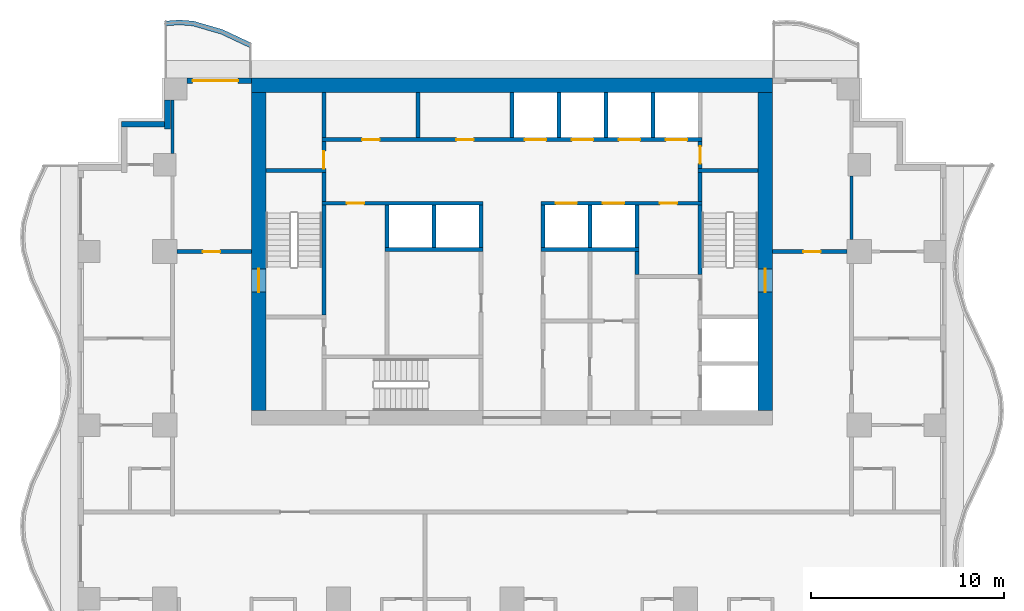
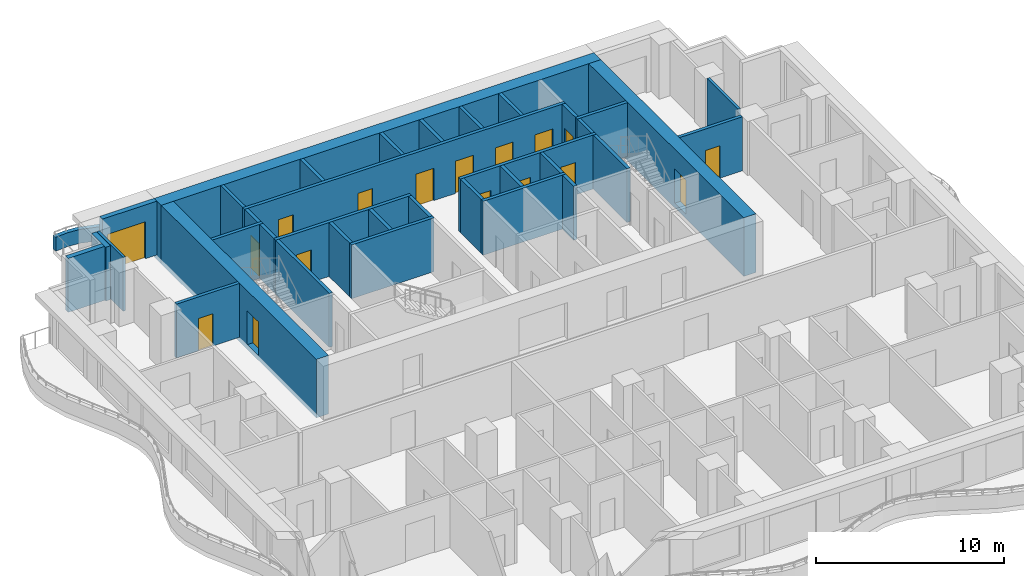
# One storey, part 5 of 10: 37 walls, 17 doors, 17 openings.
"""IFC4 building model written with IfcOpenShell, lengths in metres."""

from ifc_helpers import new_model, si_unit, direction, frame, frame_2d, origin, place, context, subcontext, project, spatial, polyline, rectangle, outline, extrude, material, layer, layer_set, type_object, element, fill, save


model = new_model("IFC4")

# Units and contexts
model_context = context("Model", 3, precision=1e-05, world=origin(), true_north=direction((0.0, 1.0)))
body_context = subcontext(model_context, "Body", "Model", "MODEL_VIEW")
ifc_project = project(units=[si_unit("LENGTHUNIT", "METRE"), si_unit("AREAUNIT", "SQUARE_METRE"), si_unit("VOLUMEUNIT", "CUBIC_METRE"), si_unit("PLANEANGLEUNIT", "RADIAN"), si_unit("MASSUNIT", "GRAM", prefix="KILO")], contexts=[model_context])

# Site, building, storey
site_placement = place(None, origin())
site = spatial("IfcSite", under=ifc_project, at=site_placement, CompositionType="ELEMENT")
building_placement = place(site_placement, origin())
building = spatial("IfcBuilding", under=site, at=building_placement, Name="Orbiselva Terraces", CompositionType="ELEMENT")
storey_placement = place(building_placement, frame((0.0, 0.0, 144.0)))
storey = spatial("IfcBuildingStorey", under=building, at=storey_placement, Name="L36", CompositionType="ELEMENT", Elevation=144.0)

# Wall, opening, door
ifc_material_1 = material(Name="Concrete C80/95", Category="concrete")
ifc_layer_1 = layer(ifc_material_1, 0.75)
ifc_layer_set_1 = layer_set([ifc_layer_1], Name="Concrete C80/95")
wall_type_1 = type_object("IfcWallType", Name="CORE WALL 750", PredefinedType="SHEAR", material=ifc_layer_set_1)
wall_1_placement = place(storey_placement, frame((13.125, 5.25, -0.3), z_axis=(0.0, 0.0, 1.0), x_axis=(0.0, 1.0, 0.0)))
wall_1 = element("IfcWall", 1, at=wall_1_placement, inside=storey, type_object=wall_type_1, Name="Core wall L36 east", PredefinedType="SHEAR", context=body_context, shape_type="SweptSolid", body=[
    extrude(rectangle(XDim=16.5, YDim=0.75, at=frame_2d((8.25, 0.0))), origin(), (0.0, 0.0, 1.0), 3.8),
])
opening_1_placement = place(wall_1_placement, frame((6.15, 0.0, 0.3)))
opening_1 = element("IfcOpeningElement", 2, at=opening_1_placement, cuts=wall_1, Name="Opening DS1200", PredefinedType="OPENING", context=body_context, shape_type="SweptSolid", body=[
    extrude(rectangle(XDim=1.2, YDim=2.2, at=frame_2d((0.6, 1.1))), frame((0.0, 0.385, 0.0), z_axis=(0.0, -1.0, 0.0), x_axis=(1.0, 0.0, 0.0)), (0.0, 0.0, 1.0), 0.77),
])
ifc_material_2 = material(Name="Steel fire door", Category="steel")
door_type_1 = type_object("IfcDoorType", Name="STAIR DOOR 1200", OperationType="NOTDEFINED", PredefinedType="DOOR", material=ifc_material_2)
door_1_placement = place(opening_1_placement, frame((1.2, 0.0, 0.0), z_axis=(0.0, 0.0, 1.0), x_axis=(-1.0, 0.0, 0.0)))
door_1 = element("IfcDoor", 3, at=door_1_placement, inside=storey, type_object=door_type_1, Name="L36 EXIT STAIR S2 door", OperationType="SINGLE_SWING_LEFT", OverallHeight=2.2, OverallWidth=1.2, PredefinedType="DOOR", context=body_context, shape_type="SweptSolid", body=[
    extrude(rectangle(XDim=1.2, YDim=2.2, at=frame_2d((0.6, 1.1))), frame((0.0, 0.025, 0.0), z_axis=(0.0, -1.0, 0.0), x_axis=(1.0, 0.0, 0.0)), (0.0, 0.0, 1.0), 0.05),
])
fill(opening_1, door_1)

wall_2_placement = place(storey_placement, frame((-13.125, 21.75, -0.3), z_axis=(0.0, 0.0, 1.0), x_axis=(0.0, -1.0, 0.0)))
wall_2 = element("IfcWall", 4, at=wall_2_placement, inside=storey, type_object=wall_type_1, Name="Core wall L36 west", PredefinedType="SHEAR", context=body_context, shape_type="SweptSolid", body=[
    extrude(rectangle(XDim=16.5, YDim=0.75, at=frame_2d((8.25, 0.0))), origin(), (0.0, 0.0, 1.0), 3.8),
])
opening_2_placement = place(wall_2_placement, frame((9.15, 0.0, 0.3)))
opening_2 = element("IfcOpeningElement", 5, at=opening_2_placement, cuts=wall_2, Name="Opening DS1200", PredefinedType="OPENING", context=body_context, shape_type="SweptSolid", body=[
    extrude(rectangle(XDim=1.2, YDim=2.2, at=frame_2d((0.6, 1.1))), frame((0.0, 0.385, 0.0), z_axis=(0.0, -1.0, 0.0), x_axis=(1.0, 0.0, 0.0)), (0.0, 0.0, 1.0), 0.77),
])
door_2_placement = place(opening_2_placement, frame((1.2, 0.0, 0.0), z_axis=(0.0, 0.0, 1.0), x_axis=(-1.0, 0.0, 0.0)))
door_2 = element("IfcDoor", 6, at=door_2_placement, inside=storey, type_object=door_type_1, Name="L36 EXIT STAIR S1 door", OperationType="SINGLE_SWING_RIGHT", OverallHeight=2.2, OverallWidth=1.2, PredefinedType="DOOR", context=body_context, shape_type="SweptSolid", body=[
    extrude(rectangle(XDim=1.2, YDim=2.2, at=frame_2d((0.6, 1.1))), frame((0.0, 0.025, 0.0), z_axis=(0.0, -1.0, 0.0), x_axis=(1.0, 0.0, 0.0)), (0.0, 0.0, 1.0), 0.05),
])
fill(opening_2, door_2)

# Wall
ifc_layer_2 = layer(ifc_material_1, 0.75)
ifc_layer_set_2 = layer_set([ifc_layer_2], Name="Concrete C80/95")
wall_type_2 = type_object("IfcWallType", Name="CORE WALL 750 EXTERNAL", PredefinedType="SHEAR", material=ifc_layer_set_2)
wall_3_placement = place(storey_placement, frame((13.5, 22.125, -0.3), z_axis=(0.0, 0.0, 1.0), x_axis=(-1.0, 0.0, 0.0)))
element("IfcWall", 7, at=wall_3_placement, inside=storey, type_object=wall_type_2, Name="Core wall L36 north", PredefinedType="SHEAR", context=body_context, shape_type="SweptSolid", body=[
    extrude(rectangle(XDim=27.0, YDim=0.75, at=frame_2d((13.5, 0.0))), origin(), (0.0, 0.0, 1.0), 3.8),
])

# Wall, opening, door
ifc_material_3 = material(Name="Masonry blockwork", Category="masonry")
ifc_layer_3 = layer(ifc_material_3, 0.2)
ifc_layer_set_3 = layer_set([ifc_layer_3], Name="Masonry blockwork")
wall_type_3 = type_object("IfcWallType", Name="CORE-WALL-PARTITION-200", PredefinedType="PARTITIONING", material=ifc_layer_set_3)
wall_4_placement = place(storey_placement, frame((-9.75, 17.8, 0.0), z_axis=(0.0, 0.0, 1.0), x_axis=(0.0, 1.0, 0.0)))
wall_4 = element("IfcWall", 8, at=wall_4_placement, inside=storey, type_object=wall_type_3, Name="L36 core wall 09", PredefinedType="PARTITIONING", context=body_context, shape_type="SweptSolid", body=[
    extrude(rectangle(XDim=1.4, YDim=0.2, at=frame_2d((0.7, 0.0))), origin(), (0.0, 0.0, 1.0), 3.5),
])
opening_3_placement = place(wall_4_placement, origin())
opening_3 = element("IfcOpeningElement", 9, at=opening_3_placement, cuts=wall_4, Name="Opening DR900", PredefinedType="OPENING", context=body_context, shape_type="SweptSolid", body=[
    extrude(rectangle(XDim=0.9, YDim=2.1, at=frame_2d((0.45, 1.05))), frame((0.0, 0.11, 0.0), z_axis=(0.0, -1.0, 0.0), x_axis=(1.0, 0.0, 0.0)), (0.0, 0.0, 1.0), 0.22),
])
door_type_2 = type_object("IfcDoorType", Name="ROOM DOOR 900", OperationType="NOTDEFINED", PredefinedType="DOOR", material=ifc_material_2)
door_3_placement = place(opening_3_placement, origin())
door_3 = element("IfcDoor", 10, at=door_3_placement, inside=storey, type_object=door_type_2, Name="L36 COMMS RISER ROOM door", OperationType="SINGLE_SWING_LEFT", OverallHeight=2.1, OverallWidth=0.9, PredefinedType="DOOR", context=body_context, shape_type="SweptSolid", body=[
    extrude(rectangle(XDim=0.9, YDim=2.1, at=frame_2d((0.45, 1.05))), frame((0.0, 0.025, 0.0), z_axis=(0.0, -1.0, 0.0), x_axis=(1.0, 0.0, 0.0)), (0.0, 0.0, 1.0), 0.05),
])
fill(opening_3, door_3)

# Walls
for number, where, z_axis, x_axis, name in (
    (11, (-9.75, 19.4, 0.0), (0.0, 0.0, 1.0), (0.0, 1.0, 0.0), "L36 core wall 11"),
    (12, (-4.875, 19.4, 0.0), (0.0, 0.0, 1.0), (0.0, 1.0, 0.0), "L36 core wall 15"),
):
    element("IfcWall", number, at=place(storey_placement, frame(where, z_axis=z_axis, x_axis=x_axis)), inside=storey, type_object=wall_type_3, Name=name, PredefinedType="PARTITIONING", context=body_context, shape_type="SweptSolid", body=[
        extrude(rectangle(XDim=2.35, YDim=0.2, at=frame_2d((1.175, 0.0))), origin(), (0.0, 0.0, 1.0), 3.5),
    ])
wall_5_placement = place(storey_placement, frame((6.475, 12.3, 0.0), z_axis=(0.0, 0.0, 1.0), x_axis=(0.0, 1.0, 0.0)))
element("IfcWall", 13, at=wall_5_placement, inside=storey, type_object=wall_type_3, Name="L36 core wall 35", PredefinedType="PARTITIONING", context=body_context, shape_type="SweptSolid", body=[
    extrude(rectangle(XDim=1.2, YDim=0.2, at=frame_2d((0.6, 0.0))), origin(), (0.0, 0.0, 1.0), 3.5),
])

# Wall, opening, door
wall_6_placement = place(storey_placement, frame((9.75, 19.2, 0.0), z_axis=(0.0, 0.0, 1.0), x_axis=(0.0, -1.0, 0.0)))
wall_6 = element("IfcWall", 14, at=wall_6_placement, inside=storey, type_object=wall_type_3, Name="L36 core wall 46", PredefinedType="PARTITIONING", context=body_context, shape_type="SweptSolid", body=[
    extrude(rectangle(XDim=1.4, YDim=0.2, at=frame_2d((0.7, 0.0))), origin(), (0.0, 0.0, 1.0), 3.5),
])
opening_4_placement = place(wall_6_placement, frame((0.25, 0.0, 0.0)))
opening_4 = element("IfcOpeningElement", 15, at=opening_4_placement, cuts=wall_6, Name="Opening DR900", PredefinedType="OPENING", context=body_context, shape_type="SweptSolid", body=[
    extrude(rectangle(XDim=0.9, YDim=2.1, at=frame_2d((0.45, 1.05))), frame((0.0, 0.11, 0.0), z_axis=(0.0, -1.0, 0.0), x_axis=(1.0, 0.0, 0.0)), (0.0, 0.0, 1.0), 0.22),
])
door_4_placement = place(opening_4_placement, origin())
door_4 = element("IfcDoor", 16, at=door_4_placement, inside=storey, type_object=door_type_2, Name="L36 ELECTRICAL RISER ROOM door", OperationType="SINGLE_SWING_RIGHT", OverallHeight=2.1, OverallWidth=0.9, PredefinedType="DOOR", context=body_context, shape_type="SweptSolid", body=[
    extrude(rectangle(XDim=0.9, YDim=2.1, at=frame_2d((0.45, 1.05))), frame((0.0, 0.025, 0.0), z_axis=(0.0, -1.0, 0.0), x_axis=(1.0, 0.0, 0.0)), (0.0, 0.0, 1.0), 0.05),
])
fill(opening_4, door_4)

# Walls
ifc_material_4 = material(Name="Concrete C40/50", Category="concrete")
ifc_layer_4 = layer(ifc_material_4, 0.2)
ifc_layer_set_4 = layer_set([ifc_layer_4], Name="Concrete C40/50")
wall_type_4 = type_object("IfcWallType", Name="CORE-WALL-SHAFT-200", PredefinedType="PARTITIONING", material=ifc_layer_set_4)
for number, where, z_axis, x_axis, name in (
    (17, (-6.475, 13.7, 0.0), (0.0, 0.0, 1.0), (0.0, 1.0, 0.0), "L36 core wall 14"),
    (18, (-4.0375, 13.7, 0.0), (0.0, 0.0, 1.0), (0.0, 1.0, 0.0), "L36 core wall 16"),
    (19, (-1.6, 13.7, 0.0), (0.0, 0.0, 1.0), (0.0, 1.0, 0.0), "L36 core wall 19"),
):
    element("IfcWall", number, at=place(storey_placement, frame(where, z_axis=z_axis, x_axis=x_axis)), inside=storey, type_object=wall_type_4, Name=name, PredefinedType="PARTITIONING", context=body_context, shape_type="SweptSolid", body=[
        extrude(rectangle(XDim=2.2, YDim=0.2, at=frame_2d((1.1, 0.0))), origin(), (0.0, 0.0, 1.0), 3.5),
    ])
wall_7_placement = place(storey_placement, frame((0.0, 19.4, 0.0), z_axis=(0.0, 0.0, 1.0), x_axis=(0.0, 1.0, 0.0)))
element("IfcWall", 20, at=wall_7_placement, inside=storey, type_object=wall_type_4, Name="L36 core wall 20", PredefinedType="PARTITIONING", context=body_context, shape_type="SweptSolid", body=[
    extrude(rectangle(XDim=2.35, YDim=0.2, at=frame_2d((1.175, 0.0))), origin(), (0.0, 0.0, 1.0), 3.5),
])
wall_8_placement = place(storey_placement, frame((1.6, 13.7, 0.0), z_axis=(0.0, 0.0, 1.0), x_axis=(0.0, 1.0, 0.0)))
element("IfcWall", 21, at=wall_8_placement, inside=storey, type_object=wall_type_4, Name="L36 core wall 25", PredefinedType="PARTITIONING", context=body_context, shape_type="SweptSolid", body=[
    extrude(rectangle(XDim=2.2, YDim=0.2, at=frame_2d((1.1, 0.0))), origin(), (0.0, 0.0, 1.0), 3.5),
])
wall_9_placement = place(storey_placement, frame((2.4375, 19.4, 0.0), z_axis=(0.0, 0.0, 1.0), x_axis=(0.0, 1.0, 0.0)))
element("IfcWall", 22, at=wall_9_placement, inside=storey, type_object=wall_type_4, Name="L36 core wall 27", PredefinedType="PARTITIONING", context=body_context, shape_type="SweptSolid", body=[
    extrude(rectangle(XDim=2.35, YDim=0.2, at=frame_2d((1.175, 0.0))), origin(), (0.0, 0.0, 1.0), 3.5),
])
wall_10_placement = place(storey_placement, frame((4.0375, 13.7, 0.0), z_axis=(0.0, 0.0, 1.0), x_axis=(0.0, 1.0, 0.0)))
element("IfcWall", 23, at=wall_10_placement, inside=storey, type_object=wall_type_4, Name="L36 core wall 30", PredefinedType="PARTITIONING", context=body_context, shape_type="SweptSolid", body=[
    extrude(rectangle(XDim=2.2, YDim=0.2, at=frame_2d((1.1, 0.0))), origin(), (0.0, 0.0, 1.0), 3.5),
])
wall_11_placement = place(storey_placement, frame((4.875, 19.4, 0.0), z_axis=(0.0, 0.0, 1.0), x_axis=(0.0, 1.0, 0.0)))
element("IfcWall", 24, at=wall_11_placement, inside=storey, type_object=wall_type_4, Name="L36 core wall 31", PredefinedType="PARTITIONING", context=body_context, shape_type="SweptSolid", body=[
    extrude(rectangle(XDim=2.35, YDim=0.2, at=frame_2d((1.175, 0.0))), origin(), (0.0, 0.0, 1.0), 3.5),
])
wall_12_placement = place(storey_placement, frame((6.475, 13.7, 0.0), z_axis=(0.0, 0.0, 1.0), x_axis=(0.0, 1.0, 0.0)))
element("IfcWall", 25, at=wall_12_placement, inside=storey, type_object=wall_type_4, Name="L36 core wall 36", PredefinedType="PARTITIONING", context=body_context, shape_type="SweptSolid", body=[
    extrude(rectangle(XDim=2.2, YDim=0.2, at=frame_2d((1.1, 0.0))), origin(), (0.0, 0.0, 1.0), 3.5),
])
wall_13_placement = place(storey_placement, frame((7.3125, 19.4, 0.0), z_axis=(0.0, 0.0, 1.0), x_axis=(0.0, 1.0, 0.0)))
element("IfcWall", 26, at=wall_13_placement, inside=storey, type_object=wall_type_4, Name="L36 core wall 37", PredefinedType="PARTITIONING", context=body_context, shape_type="SweptSolid", body=[
    extrude(rectangle(XDim=2.35, YDim=0.2, at=frame_2d((1.175, 0.0))), origin(), (0.0, 0.0, 1.0), 3.5),
])
ifc_material_5 = material(Name="Concrete C60/75", Category="concrete")
ifc_layer_5 = layer(ifc_material_5, 0.2)
ifc_layer_set_5 = layer_set([ifc_layer_5], Name="Concrete C60/75")
wall_type_5 = type_object("IfcWallType", Name="CORE-WALL-SHEAR-200", PredefinedType="SHEAR", material=ifc_layer_set_5)
wall_14_placement = place(storey_placement, frame((-12.75, 17.7, 0.0), z_axis=(0.0, 0.0, 1.0), x_axis=(1.0, 0.0, 0.0)))
element("IfcWall", 27, at=wall_14_placement, inside=storey, type_object=wall_type_5, Name="L36 core wall 02", PredefinedType="SHEAR", context=body_context, shape_type="SweptSolid", body=[
    extrude(rectangle(XDim=3.1, YDim=0.2, at=frame_2d((1.55, 0.0))), origin(), (0.0, 0.0, 1.0), 3.5),
])
wall_15_placement = place(storey_placement, frame((-9.75, 10.2, 0.0), z_axis=(0.0, 0.0, 1.0), x_axis=(0.0, 1.0, 0.0)))
element("IfcWall", 28, at=wall_15_placement, inside=storey, type_object=wall_type_5, Name="L36 core wall 06", PredefinedType="SHEAR", context=body_context, shape_type="SweptSolid", body=[
    extrude(rectangle(XDim=5.7, YDim=0.2, at=frame_2d((2.85, 0.0))), origin(), (0.0, 0.0, 1.0), 3.5),
])

# Wall, opening, door
wall_16_placement = place(storey_placement, frame((-1.5, 16.0, 0.0), z_axis=(0.0, 0.0, 1.0), x_axis=(-1.0, 0.0, 0.0)))
wall_16 = element("IfcWall", 29, at=wall_16_placement, inside=storey, type_object=wall_type_5, Name="L36 core wall 07", PredefinedType="SHEAR", context=body_context, shape_type="SweptSolid", body=[
    extrude(rectangle(XDim=8.35, YDim=0.2, at=frame_2d((4.175, 0.0))), origin(), (0.0, 0.0, 1.0), 3.5),
])
opening_5_placement = place(wall_16_placement, frame((6.1625, 0.0, 0.0)))
opening_5 = element("IfcOpeningElement", 30, at=opening_5_placement, cuts=wall_16, Name="Opening DR900", PredefinedType="OPENING", context=body_context, shape_type="SweptSolid", body=[
    extrude(rectangle(XDim=0.9, YDim=2.1, at=frame_2d((0.45, 1.05))), frame((0.0, 0.11, 0.0), z_axis=(0.0, -1.0, 0.0), x_axis=(1.0, 0.0, 0.0)), (0.0, 0.0, 1.0), 0.22),
])
door_5_placement = place(opening_5_placement, origin())
door_5 = element("IfcDoor", 31, at=door_5_placement, inside=storey, type_object=door_type_2, Name="L36 STAFF PANTRY door", OperationType="SINGLE_SWING_RIGHT", OverallHeight=2.1, OverallWidth=0.9, PredefinedType="DOOR", context=body_context, shape_type="SweptSolid", body=[
    extrude(rectangle(XDim=0.9, YDim=2.1, at=frame_2d((0.45, 1.05))), frame((0.0, 0.025, 0.0), z_axis=(0.0, -1.0, 0.0), x_axis=(1.0, 0.0, 0.0)), (0.0, 0.0, 1.0), 0.05),
])
fill(opening_5, door_5)

# Wall
wall_17_placement = place(storey_placement, frame((-9.75, 16.1, 0.0), z_axis=(0.0, 0.0, 1.0), x_axis=(0.0, 1.0, 0.0)))
element("IfcWall", 32, at=wall_17_placement, inside=storey, type_object=wall_type_5, Name="L36 core wall 08", PredefinedType="SHEAR", context=body_context, shape_type="SweptSolid", body=[
    extrude(rectangle(XDim=1.5, YDim=0.2, at=frame_2d((0.75, 0.0))), origin(), (0.0, 0.0, 1.0), 3.5),
])

# Wall, openings, doors
wall_18_placement = place(storey_placement, frame((-9.85, 19.3, 0.0), z_axis=(0.0, 0.0, 1.0), x_axis=(1.0, 0.0, 0.0)))
wall_18 = element("IfcWall", 33, at=wall_18_placement, inside=storey, type_object=wall_type_5, Name="L36 core wall 10", PredefinedType="SHEAR", context=body_context, shape_type="SweptSolid", body=[
    extrude(rectangle(XDim=19.7, YDim=0.2, at=frame_2d((9.85, 0.0))), origin(), (0.0, 0.0, 1.0), 3.5),
])
opening_6_placement = place(wall_18_placement, frame((10.51875, 0.0, 0.0)))
opening_6 = element("IfcOpeningElement", 34, at=opening_6_placement, cuts=wall_18, Name="Opening LD-HR1", PredefinedType="OPENING", context=body_context, shape_type="SweptSolid", body=[
    extrude(rectangle(XDim=1.1, YDim=2.1, at=frame_2d((0.55, 1.05))), frame((0.0, 0.11, 0.0), z_axis=(0.0, -1.0, 0.0), x_axis=(1.0, 0.0, 0.0)), (0.0, 0.0, 1.0), 0.22),
])
opening_7_placement = place(wall_18_placement, frame((12.95625, 0.0, 0.0)))
opening_7 = element("IfcOpeningElement", 35, at=opening_7_placement, cuts=wall_18, Name="Opening LD-HR2", PredefinedType="OPENING", context=body_context, shape_type="SweptSolid", body=[
    extrude(rectangle(XDim=1.1, YDim=2.1, at=frame_2d((0.55, 1.05))), frame((0.0, 0.11, 0.0), z_axis=(0.0, -1.0, 0.0), x_axis=(1.0, 0.0, 0.0)), (0.0, 0.0, 1.0), 0.22),
])
opening_8_placement = place(wall_18_placement, frame((15.39375, 0.0, 0.0)))
opening_8 = element("IfcOpeningElement", 36, at=opening_8_placement, cuts=wall_18, Name="Opening LD-HR3", PredefinedType="OPENING", context=body_context, shape_type="SweptSolid", body=[
    extrude(rectangle(XDim=1.1, YDim=2.1, at=frame_2d((0.55, 1.05))), frame((0.0, 0.11, 0.0), z_axis=(0.0, -1.0, 0.0), x_axis=(1.0, 0.0, 0.0)), (0.0, 0.0, 1.0), 0.22),
])
opening_9_placement = place(wall_18_placement, frame((17.83125, 0.0, 0.0)))
opening_9 = element("IfcOpeningElement", 37, at=opening_9_placement, cuts=wall_18, Name="Opening LD-HR4", PredefinedType="OPENING", context=body_context, shape_type="SweptSolid", body=[
    extrude(rectangle(XDim=1.1, YDim=2.1, at=frame_2d((0.55, 1.05))), frame((0.0, 0.11, 0.0), z_axis=(0.0, -1.0, 0.0), x_axis=(1.0, 0.0, 0.0)), (0.0, 0.0, 1.0), 0.22),
])
opening_10_placement = place(wall_18_placement, frame((2.0875, 0.0, 0.0)))
opening_10 = element("IfcOpeningElement", 38, at=opening_10_placement, cuts=wall_18, Name="Opening DR900", PredefinedType="OPENING", context=body_context, shape_type="SweptSolid", body=[
    extrude(rectangle(XDim=0.9, YDim=2.1, at=frame_2d((0.45, 1.05))), frame((0.0, 0.11, 0.0), z_axis=(0.0, -1.0, 0.0), x_axis=(1.0, 0.0, 0.0)), (0.0, 0.0, 1.0), 0.22),
])
opening_11_placement = place(wall_18_placement, frame((6.9625, 0.0, 0.0)))
opening_11 = element("IfcOpeningElement", 39, at=opening_11_placement, cuts=wall_18, Name="Opening DR900", PredefinedType="OPENING", context=body_context, shape_type="SweptSolid", body=[
    extrude(rectangle(XDim=0.9, YDim=2.1, at=frame_2d((0.45, 1.05))), frame((0.0, 0.11, 0.0), z_axis=(0.0, -1.0, 0.0), x_axis=(1.0, 0.0, 0.0)), (0.0, 0.0, 1.0), 0.22),
])
ifc_material_6 = material(Name="Stainless steel landing door", Category="steel")
door_type_3 = type_object("IfcDoorType", Name="LANDING DOOR 1100", OperationType="SLIDING_TO_LEFT", PredefinedType="DOOR", material=ifc_material_6)
door_6_placement = place(opening_6_placement, origin())
door_6 = element("IfcDoor", 40, at=door_6_placement, inside=storey, type_object=door_type_3, Name="L36 landing door HR1", OperationType="SLIDING_TO_RIGHT", OverallHeight=2.1, OverallWidth=1.1, PredefinedType="DOOR", context=body_context, shape_type="SweptSolid", body=[
    extrude(rectangle(XDim=1.1, YDim=2.1, at=frame_2d((0.55, 1.05))), frame((0.0, 0.025, 0.0), z_axis=(0.0, -1.0, 0.0), x_axis=(1.0, 0.0, 0.0)), (0.0, 0.0, 1.0), 0.05),
])
fill(opening_6, door_6)
door_7_placement = place(opening_7_placement, origin())
door_7 = element("IfcDoor", 41, at=door_7_placement, inside=storey, type_object=door_type_3, Name="L36 landing door HR2", OperationType="SLIDING_TO_RIGHT", OverallHeight=2.1, OverallWidth=1.1, PredefinedType="DOOR", context=body_context, shape_type="SweptSolid", body=[
    extrude(rectangle(XDim=1.1, YDim=2.1, at=frame_2d((0.55, 1.05))), frame((0.0, 0.025, 0.0), z_axis=(0.0, -1.0, 0.0), x_axis=(1.0, 0.0, 0.0)), (0.0, 0.0, 1.0), 0.05),
])
fill(opening_7, door_7)
door_8_placement = place(opening_8_placement, origin())
door_8 = element("IfcDoor", 42, at=door_8_placement, inside=storey, type_object=door_type_3, Name="L36 landing door HR3", OperationType="SLIDING_TO_RIGHT", OverallHeight=2.1, OverallWidth=1.1, PredefinedType="DOOR", context=body_context, shape_type="SweptSolid", body=[
    extrude(rectangle(XDim=1.1, YDim=2.1, at=frame_2d((0.55, 1.05))), frame((0.0, 0.025, 0.0), z_axis=(0.0, -1.0, 0.0), x_axis=(1.0, 0.0, 0.0)), (0.0, 0.0, 1.0), 0.05),
])
fill(opening_8, door_8)
door_9_placement = place(opening_9_placement, origin())
door_9 = element("IfcDoor", 43, at=door_9_placement, inside=storey, type_object=door_type_3, Name="L36 landing door HR4", OperationType="SLIDING_TO_RIGHT", OverallHeight=2.1, OverallWidth=1.1, PredefinedType="DOOR", context=body_context, shape_type="SweptSolid", body=[
    extrude(rectangle(XDim=1.1, YDim=2.1, at=frame_2d((0.55, 1.05))), frame((0.0, 0.025, 0.0), z_axis=(0.0, -1.0, 0.0), x_axis=(1.0, 0.0, 0.0)), (0.0, 0.0, 1.0), 0.05),
])
fill(opening_9, door_9)
door_10_placement = place(opening_10_placement, origin())
door_10 = element("IfcDoor", 44, at=door_10_placement, inside=storey, type_object=door_type_2, Name="L36 PANTRY door", OperationType="SINGLE_SWING_LEFT", OverallHeight=2.1, OverallWidth=0.9, PredefinedType="DOOR", context=body_context, shape_type="SweptSolid", body=[
    extrude(rectangle(XDim=0.9, YDim=2.1, at=frame_2d((0.45, 1.05))), frame((0.0, 0.025, 0.0), z_axis=(0.0, -1.0, 0.0), x_axis=(1.0, 0.0, 0.0)), (0.0, 0.0, 1.0), 0.05),
])
fill(opening_10, door_10)
door_11_placement = place(opening_11_placement, origin())
door_11 = element("IfcDoor", 45, at=door_11_placement, inside=storey, type_object=door_type_2, Name="L36 STAFF LOUNGE door", OperationType="SINGLE_SWING_LEFT", OverallHeight=2.1, OverallWidth=0.9, PredefinedType="DOOR", context=body_context, shape_type="SweptSolid", body=[
    extrude(rectangle(XDim=0.9, YDim=2.1, at=frame_2d((0.45, 1.05))), frame((0.0, 0.025, 0.0), z_axis=(0.0, -1.0, 0.0), x_axis=(1.0, 0.0, 0.0)), (0.0, 0.0, 1.0), 0.05),
])
fill(opening_11, door_11)

# Walls
for number, where, z_axis, x_axis, name in (
    (46, (-6.575, 13.6, 0.0), (0.0, 0.0, 1.0), (1.0, 0.0, 0.0), "L36 core wall 13"),
    (47, (1.5, 13.6, 0.0), (0.0, 0.0, 1.0), (1.0, 0.0, 0.0), "L36 core wall 24"),
):
    element("IfcWall", number, at=place(storey_placement, frame(where, z_axis=z_axis, x_axis=x_axis)), inside=storey, type_object=wall_type_5, Name=name, PredefinedType="SHEAR", context=body_context, shape_type="SweptSolid", body=[
        extrude(rectangle(XDim=5.075, YDim=0.2, at=frame_2d((2.5375, 0.0))), origin(), (0.0, 0.0, 1.0), 3.5),
    ])

# Wall, openings, doors
wall_19_placement = place(storey_placement, frame((9.85, 16.0, 0.0), z_axis=(0.0, 0.0, 1.0), x_axis=(-1.0, 0.0, 0.0)))
wall_19 = element("IfcWall", 48, at=wall_19_placement, inside=storey, type_object=wall_type_5, Name="L36 core wall 26", PredefinedType="SHEAR", context=body_context, shape_type="SweptSolid", body=[
    extrude(rectangle(XDim=8.35, YDim=0.2, at=frame_2d((4.175, 0.0))), origin(), (0.0, 0.0, 1.0), 3.5),
])
opening_12_placement = place(wall_19_placement, frame((6.48125, 0.0, 0.0)))
opening_12 = element("IfcOpeningElement", 49, at=opening_12_placement, cuts=wall_19, Name="Opening LD-HR5", PredefinedType="OPENING", context=body_context, shape_type="SweptSolid", body=[
    extrude(rectangle(XDim=1.1, YDim=2.1, at=frame_2d((0.55, 1.05))), frame((0.0, 0.11, 0.0), z_axis=(0.0, -1.0, 0.0), x_axis=(1.0, 0.0, 0.0)), (0.0, 0.0, 1.0), 0.22),
])
opening_13_placement = place(wall_19_placement, frame((4.04375, 0.0, 0.0)))
opening_13 = element("IfcOpeningElement", 50, at=opening_13_placement, cuts=wall_19, Name="Opening LD-HR6", PredefinedType="OPENING", context=body_context, shape_type="SweptSolid", body=[
    extrude(rectangle(XDim=1.1, YDim=2.1, at=frame_2d((0.55, 1.05))), frame((0.0, 0.11, 0.0), z_axis=(0.0, -1.0, 0.0), x_axis=(1.0, 0.0, 0.0)), (0.0, 0.0, 1.0), 0.22),
])
opening_14_placement = place(wall_19_placement, frame((1.2875, 0.0, 0.0)))
opening_14 = element("IfcOpeningElement", 51, at=opening_14_placement, cuts=wall_19, Name="Opening DR900", PredefinedType="OPENING", context=body_context, shape_type="SweptSolid", body=[
    extrude(rectangle(XDim=0.9, YDim=2.1, at=frame_2d((0.45, 1.05))), frame((0.0, 0.11, 0.0), z_axis=(0.0, -1.0, 0.0), x_axis=(1.0, 0.0, 0.0)), (0.0, 0.0, 1.0), 0.22),
])
door_12_placement = place(opening_12_placement, origin())
door_12 = element("IfcDoor", 52, at=door_12_placement, inside=storey, type_object=door_type_3, Name="L36 landing door HR5", OperationType="SLIDING_TO_RIGHT", OverallHeight=2.1, OverallWidth=1.1, PredefinedType="DOOR", context=body_context, shape_type="SweptSolid", body=[
    extrude(rectangle(XDim=1.1, YDim=2.1, at=frame_2d((0.55, 1.05))), frame((0.0, 0.025, 0.0), z_axis=(0.0, -1.0, 0.0), x_axis=(1.0, 0.0, 0.0)), (0.0, 0.0, 1.0), 0.05),
])
fill(opening_12, door_12)
door_13_placement = place(opening_13_placement, origin())
door_13 = element("IfcDoor", 53, at=door_13_placement, inside=storey, type_object=door_type_3, Name="L36 landing door HR6", OperationType="SLIDING_TO_RIGHT", OverallHeight=2.1, OverallWidth=1.1, PredefinedType="DOOR", context=body_context, shape_type="SweptSolid", body=[
    extrude(rectangle(XDim=1.1, YDim=2.1, at=frame_2d((0.55, 1.05))), frame((0.0, 0.025, 0.0), z_axis=(0.0, -1.0, 0.0), x_axis=(1.0, 0.0, 0.0)), (0.0, 0.0, 1.0), 0.05),
])
fill(opening_13, door_13)
door_14_placement = place(opening_14_placement, origin())
door_14 = element("IfcDoor", 54, at=door_14_placement, inside=storey, type_object=door_type_2, Name="L36 PIPE RISER ROOM door", OperationType="SINGLE_SWING_LEFT", OverallHeight=2.1, OverallWidth=0.9, PredefinedType="DOOR", context=body_context, shape_type="SweptSolid", body=[
    extrude(rectangle(XDim=0.9, YDim=2.1, at=frame_2d((0.45, 1.05))), frame((0.0, 0.025, 0.0), z_axis=(0.0, -1.0, 0.0), x_axis=(1.0, 0.0, 0.0)), (0.0, 0.0, 1.0), 0.05),
])
fill(opening_14, door_14)

# Walls
wall_20_placement = place(storey_placement, frame((9.75, 12.3, 0.0), z_axis=(0.0, 0.0, 1.0), x_axis=(0.0, 1.0, 0.0)))
element("IfcWall", 55, at=wall_20_placement, inside=storey, type_object=wall_type_5, Name="L36 core wall 43", PredefinedType="SHEAR", context=body_context, shape_type="SweptSolid", body=[
    extrude(rectangle(XDim=3.6, YDim=0.2, at=frame_2d((1.8, 0.0))), origin(), (0.0, 0.0, 1.0), 3.5),
])
wall_21_placement = place(storey_placement, frame((9.75, 16.1, 0.0), z_axis=(0.0, 0.0, 1.0), x_axis=(0.0, 1.0, 0.0)))
element("IfcWall", 56, at=wall_21_placement, inside=storey, type_object=wall_type_5, Name="L36 core wall 44", PredefinedType="SHEAR", context=body_context, shape_type="SweptSolid", body=[
    extrude(rectangle(XDim=1.5, YDim=0.2, at=frame_2d((0.75, 0.0))), origin(), (0.0, 0.0, 1.0), 3.5),
])
wall_22_placement = place(storey_placement, frame((9.65, 17.7, 0.0), z_axis=(0.0, 0.0, 1.0), x_axis=(1.0, 0.0, 0.0)))
element("IfcWall", 57, at=wall_22_placement, inside=storey, type_object=wall_type_5, Name="L36 core wall 45", PredefinedType="SHEAR", context=body_context, shape_type="SweptSolid", body=[
    extrude(rectangle(XDim=3.1, YDim=0.2, at=frame_2d((1.55, 0.0))), origin(), (0.0, 0.0, 1.0), 3.5),
])
ifc_layer_6 = layer(ifc_material_4, 0.25)
ifc_layer_set_6 = layer_set([ifc_layer_6], Name="Concrete C40/50")
wall_type_6 = type_object("IfcWallType", Name="ENV-PLANTER-250x900", PredefinedType="USERDEFINED", material=ifc_layer_set_6)
wall_23_placement = place(storey_placement, origin())
element("IfcWall", 58, at=wall_23_placement, inside=storey, type_object=wall_type_6, Name="Balcony planter L36 NW", ObjectType="PLANTER", PredefinedType="USERDEFINED", context=body_context, shape_type="SweptSolid", body=[
    extrude(outline(polyline([(-13.5, 24.3), (-15.0, 25.005342), (-16.5, 25.441268), (-17.25, 25.5), (-18.0, 25.441268), (-17.980482, 25.192031), (-17.25, 25.249235), (-16.545114, 25.194035), (-15.088618, 24.770753), (-13.606383, 24.073764), (-13.5, 24.3)])), origin(), (0.0, 0.0, 1.0), 0.9),
])

# Wall, opening, door
ifc_material_7 = material(Name="Terracotta cladding on masonry backing", Category="masonry")
ifc_layer_7 = layer(ifc_material_7, 0.3)
ifc_layer_set_7 = layer_set([ifc_layer_7], Name="Terracotta cladding on masonry backing")
wall_type_7 = type_object("IfcWallType", Name="ENV-WALL-TERRACOTTA-300", PredefinedType="SOLIDWALL", material=ifc_layer_set_7)
wall_24_placement = place(storey_placement, frame((-16.85, 22.35, 0.0), z_axis=(0.0, 0.0, 1.0), x_axis=(1.0, 0.0, 0.0)))
wall_24 = element("IfcWall", 59, at=wall_24_placement, inside=storey, type_object=wall_type_7, Name="Facade wall L36 NW", PredefinedType="SOLIDWALL", context=body_context, shape_type="SweptSolid", body=[
    extrude(rectangle(XDim=3.35, YDim=0.3, at=frame_2d((1.675, 0.0))), origin(), (0.0, 0.0, 1.0), 3.5),
])
opening_15_placement = place(wall_24_placement, frame((0.3, 0.0, 0.0)))
opening_15 = element("IfcOpeningElement", 60, at=opening_15_placement, cuts=wall_24, Name="Opening Z3-B-E18", PredefinedType="OPENING", context=body_context, shape_type="SweptSolid", body=[
    extrude(rectangle(XDim=2.35, YDim=2.4, at=frame_2d((1.175, 1.2))), frame((0.0, 0.16, 0.0), z_axis=(0.0, -1.0, 0.0), x_axis=(1.0, 0.0, 0.0)), (0.0, 0.0, 1.0), 0.32),
])
ifc_material_8 = material(Name="Clear low-e glazing in aluminium frame", Category="aluminium")
door_type_4 = type_object("IfcDoorType", Name="BALCONY DOOR 2350 X 2400", OperationType="DOUBLE_DOOR_SLIDING", PredefinedType="DOOR", material=ifc_material_8)
door_15_placement = place(opening_15_placement, origin())
door_15 = element("IfcDoor", 61, at=door_15_placement, inside=storey, type_object=door_type_4, Name="Z3-B-E18", OperationType="SINGLE_SWING_LEFT", OverallHeight=2.4, OverallWidth=2.35, PredefinedType="DOOR", context=body_context, shape_type="SweptSolid", body=[
    extrude(rectangle(XDim=2.35, YDim=2.4, at=frame_2d((1.175, 1.2))), frame((0.0, 0.025, 0.0), z_axis=(0.0, -1.0, 0.0), x_axis=(1.0, 0.0, 0.0)), (0.0, 0.0, 1.0), 0.05),
])
fill(opening_15, door_15)

# Walls
wall_25_placement = place(storey_placement, frame((-17.85, 19.85, 0.0), z_axis=(0.0, 0.0, 1.0), x_axis=(0.0, 1.0, 0.0)))
element("IfcWall", 62, at=wall_25_placement, inside=storey, type_object=wall_type_7, Name="Facade wall L36 STEP", PredefinedType="SOLIDWALL", context=body_context, shape_type="SweptSolid", body=[
    extrude(rectangle(XDim=1.5, YDim=0.3, at=frame_2d((0.75, 0.0))), origin(), (0.0, 0.0, 1.0), 3.5),
])
wall_26_placement = place(storey_placement, frame((-20.25, 20.1, 0.0), z_axis=(0.0, 0.0, 1.0), x_axis=(1.0, 0.0, 0.0)))
element("IfcWall", 63, at=wall_26_placement, inside=storey, type_object=wall_type_7, Name="Facade wall L36 STEP", PredefinedType="SOLIDWALL", context=body_context, shape_type="SweptSolid", body=[
    extrude(rectangle(XDim=2.25, YDim=0.3, at=frame_2d((1.125, 0.0))), origin(), (0.0, 0.0, 1.0), 3.5),
])

# Wall, opening, door
ifc_material_9 = material(Name="Plasterboard on steel stud partition", Category="steel")
ifc_layer_8 = layer(ifc_material_9, 0.2)
ifc_layer_set_8 = layer_set([ifc_layer_8], Name="Plasterboard on steel stud partition")
wall_type_8 = type_object("IfcWallType", Name="UNIT-ENTRANCE-WALL-200", PredefinedType="PARTITIONING", material=ifc_layer_set_8)
wall_27_placement = place(storey_placement, frame((-17.375, 13.5, 0.0), z_axis=(0.0, 0.0, 1.0), x_axis=(1.0, 0.0, 0.0)))
wall_27 = element("IfcWall", 64, at=wall_27_placement, inside=storey, type_object=wall_type_8, Name="PARTITION L36-036", PredefinedType="PARTITIONING", context=body_context, shape_type="SweptSolid", body=[
    extrude(rectangle(XDim=3.875, YDim=0.2, at=frame_2d((1.9375, 0.0))), origin(), (0.0, 0.0, 1.0), 3.5),
])
opening_16_placement = place(wall_27_placement, frame((1.35, 0.0, 0.0)))
opening_16 = element("IfcOpeningElement", 65, at=opening_16_placement, cuts=wall_27, Name="Opening Z3-B-01", PredefinedType="OPENING", context=body_context, shape_type="SweptSolid", body=[
    extrude(rectangle(XDim=0.9, YDim=2.1, at=frame_2d((0.45, 1.05))), frame((0.0, 0.11, 0.0), z_axis=(0.0, -1.0, 0.0), x_axis=(1.0, 0.0, 0.0)), (0.0, 0.0, 1.0), 0.22),
])
ifc_material_10 = material(Name="Painted timber door leaf", Category="wood")
door_type_5 = type_object("IfcDoorType", Name="SERVICE DOOR 900", OperationType="NOTDEFINED", PredefinedType="DOOR", material=ifc_material_10)
door_16_placement = place(opening_16_placement, origin())
door_16 = element("IfcDoor", 66, at=door_16_placement, inside=storey, type_object=door_type_5, Name="Z3-B-01", OperationType="SINGLE_SWING_LEFT", OverallHeight=2.1, OverallWidth=0.9, PredefinedType="DOOR", context=body_context, shape_type="SweptSolid", body=[
    extrude(rectangle(XDim=0.9, YDim=2.1, at=frame_2d((0.45, 1.05))), frame((0.0, 0.025, 0.0), z_axis=(0.0, -1.0, 0.0), x_axis=(1.0, 0.0, 0.0)), (0.0, 0.0, 1.0), 0.05),
])
fill(opening_16, door_16)

wall_28_placement = place(storey_placement, frame((13.5, 13.5, 0.0), z_axis=(0.0, 0.0, 1.0), x_axis=(1.0, 0.0, 0.0)))
wall_28 = element("IfcWall", 67, at=wall_28_placement, inside=storey, type_object=wall_type_8, Name="PARTITION L36-037", PredefinedType="PARTITIONING", context=body_context, shape_type="SweptSolid", body=[
    extrude(rectangle(XDim=3.875, YDim=0.2, at=frame_2d((1.9375, 0.0))), origin(), (0.0, 0.0, 1.0), 3.5),
])
opening_17_placement = place(wall_28_placement, frame((1.6, 0.0, 0.0)))
opening_17 = element("IfcOpeningElement", 68, at=opening_17_placement, cuts=wall_28, Name="Opening Z3-B-02", PredefinedType="OPENING", context=body_context, shape_type="SweptSolid", body=[
    extrude(rectangle(XDim=0.9, YDim=2.1, at=frame_2d((0.45, 1.05))), frame((0.0, 0.11, 0.0), z_axis=(0.0, -1.0, 0.0), x_axis=(1.0, 0.0, 0.0)), (0.0, 0.0, 1.0), 0.22),
])
door_17_placement = place(opening_17_placement, origin())
door_17 = element("IfcDoor", 69, at=door_17_placement, inside=storey, type_object=door_type_5, Name="Z3-B-02", OperationType="SINGLE_SWING_RIGHT", OverallHeight=2.1, OverallWidth=0.9, PredefinedType="DOOR", context=body_context, shape_type="SweptSolid", body=[
    extrude(rectangle(XDim=0.9, YDim=2.1, at=frame_2d((0.45, 1.05))), frame((0.0, 0.025, 0.0), z_axis=(0.0, -1.0, 0.0), x_axis=(1.0, 0.0, 0.0)), (0.0, 0.0, 1.0), 0.05),
])
fill(opening_17, door_17)

# Walls
ifc_layer_9 = layer(ifc_material_9, 0.15)
ifc_layer_set_9 = layer_set([ifc_layer_9], Name="Plasterboard on steel stud partition")
wall_type_9 = type_object("IfcWallType", Name="UNIT-PARTITION-150", PredefinedType="PARTITIONING", material=ifc_layer_set_9)
wall_29_placement = place(storey_placement, frame((-17.6, 18.575, 0.0), z_axis=(0.0, 0.0, 1.0), x_axis=(0.0, 1.0, 0.0)))
element("IfcWall", 70, at=wall_29_placement, inside=storey, type_object=wall_type_9, Name="PARTITION L36-045", PredefinedType="PARTITIONING", context=body_context, shape_type="SweptSolid", body=[
    extrude(rectangle(XDim=2.775, YDim=0.15, at=frame_2d((1.3875, 0.0))), origin(), (0.0, 0.0, 1.0), 3.5),
])
wall_30_placement = place(storey_placement, frame((17.6, 14.125, 0.0), z_axis=(0.0, 0.0, 1.0), x_axis=(0.0, 1.0, 0.0)))
element("IfcWall", 71, at=wall_30_placement, inside=storey, type_object=wall_type_9, Name="PARTITION L36-066", PredefinedType="PARTITIONING", context=body_context, shape_type="SweptSolid", body=[
    extrude(rectangle(XDim=3.3, YDim=0.15, at=frame_2d((1.65, 0.0))), origin(), (0.0, 0.0, 1.0), 3.5),
])

save(model, "model.ifc")
